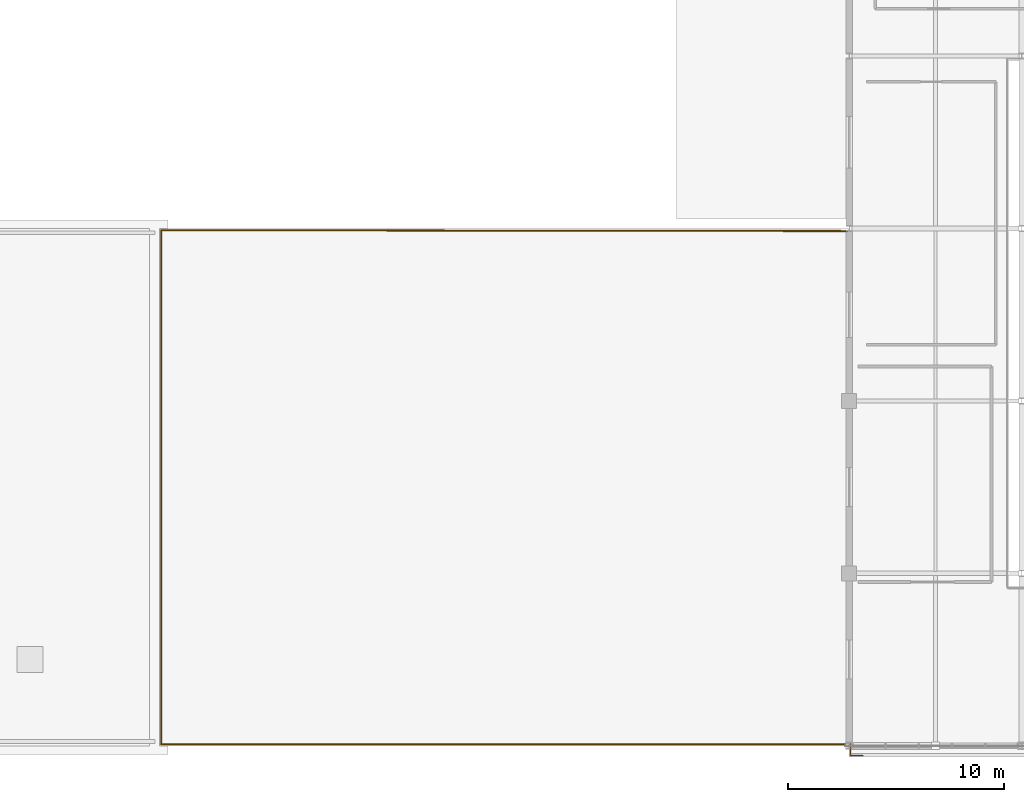
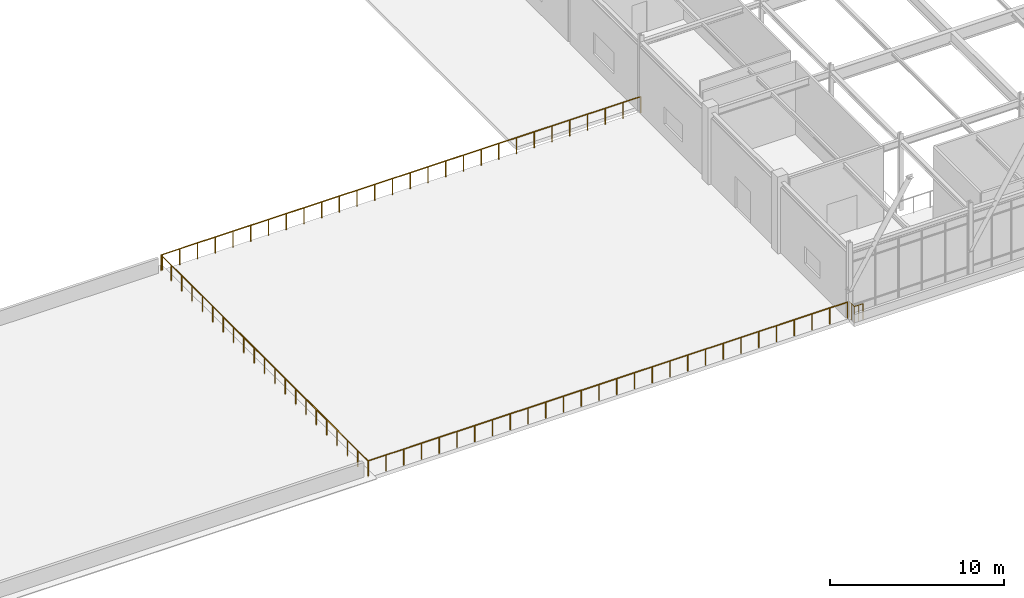
# One storey, part 101 of 108: 3 railings.
"""IFC4 building model written with IfcOpenShell, lengths in metres."""

from ifc_helpers import new_model, si_unit, direction, frame, origin, origin_2d, place, context, subcontext, project, spatial, circle, extrude, material, type_object, element, save


model = new_model("IFC4")

# Units and contexts
model_context = context("Model", 3, precision=1e-05, world=origin(), true_north=direction((0.0, 1.0)))
body_context = subcontext(model_context, "Body", "Model", "MODEL_VIEW")
ifc_project = project(units=[si_unit("LENGTHUNIT", "METRE"), si_unit("AREAUNIT", "SQUARE_METRE"), si_unit("VOLUMEUNIT", "CUBIC_METRE"), si_unit("PLANEANGLEUNIT", "RADIAN"), si_unit("MASSUNIT", "GRAM", prefix="KILO")], contexts=[model_context])

# Site, building, storey
site_placement = place(None, origin())
site = spatial("IfcSite", under=ifc_project, at=site_placement, CompositionType="ELEMENT")
building_placement = place(site_placement, origin())
building = spatial("IfcBuilding", under=site, at=building_placement, Name="Zhaolan Boulevard Law Courts", CompositionType="ELEMENT")
storey_placement = place(building_placement, frame((0.0, 0.0, 10.800048828125)))
storey = spatial("IfcBuildingStorey", under=building, at=storey_placement, Name="L02", CompositionType="ELEMENT", Elevation=10.800048828125)

# Railings
ifc_material_1 = material(Name="Powder-coated steel baluster guardrail", Category="steel")
railing_type_1 = type_object("IfcRailingType", Name="STAIR WELL GUARDRAIL 1120", PredefinedType="GUARDRAIL", material=ifc_material_1)
railing_1_placement = place(storey_placement, frame((124.06005859375, 6.1201171875, 0.0)))
element("IfcRailing", 1, at=railing_1_placement, inside=storey, type_object=railing_type_1, Name="Slab Corner Guardrail GR-CRN-L02-V1SW", PredefinedType="GUARDRAIL", context=body_context, shape_type="SweptSolid", body=[
    extrude(circle(Radius=0.02392578125, at=origin_2d()), frame((0.0, 0.0, 1.09619140625), z_axis=(0.0, -1.0, 0.0), x_axis=(1.0, 0.0, 0.0)), (0.0, 0.0, 1.0), 0.580078125),
    extrude(circle(Radius=0.02392578125, at=origin_2d()), frame((0.0, -0.580078125, 1.09619140625), z_axis=(1.0, 0.0, 0.0), x_axis=(0.0, 1.0, 0.0)), (0.0, 0.0, 1.0), 0.579833984375),
    extrude(circle(Radius=0.02099609375, at=origin_2d()), origin(), (0.0, 0.0, 1.0), 1.072021484375),
    extrude(circle(Radius=0.02099609375, at=origin_2d()), frame((0.0, -0.2900390625, 0.0)), (0.0, 0.0, 1.0), 1.072021484375),
    extrude(circle(Radius=0.02099609375, at=origin_2d()), frame((0.0, -0.580078125, 0.0)), (0.0, 0.0, 1.0), 1.072021484375),
    extrude(circle(Radius=0.02099609375, at=origin_2d()), frame((0.2900390625, -0.580078125, 0.0)), (0.0, 0.0, 1.0), 1.072021484375),
    extrude(circle(Radius=0.02099609375, at=origin_2d()), frame((0.579833984375, -0.580078125, 0.0)), (0.0, 0.0, 1.0), 1.072021484375),
])
ifc_material_2 = material(Name="Stainless steel 316L and laminated glass", Category="steel")
railing_type_2 = type_object("IfcRailingType", Name="TERRACE GUARDRAIL 1150", PredefinedType="GUARDRAIL", material=ifc_material_2)
railing_2_placement = place(storey_placement, frame((92.080078125, 29.919921875, 0.0)))
element("IfcRailing", 2, at=railing_2_placement, inside=storey, type_object=railing_type_2, Name="Terrace Guardrail GR-TER-L02A", PredefinedType="GUARDRAIL", context=body_context, shape_type="SweptSolid", body=[
    extrude(circle(Radius=0.02490234375, at=origin_2d()), frame((0.0, 0.0, 1.125), z_axis=(0.0, -1.0, 0.0), x_axis=(1.0, 0.0, 0.0)), (0.0, 0.0, 1.0), 23.83984375),
    extrude(circle(Radius=0.02490234375, at=origin_2d()), frame((0.0, -23.83984375, 1.125), z_axis=(1.0, 0.0, 0.0), x_axis=(0.0, 1.0, 0.0)), (0.0, 0.0, 1.0), 31.83984375),
    extrude(circle(Radius=0.0224609375, at=origin_2d()), origin(), (0.0, 0.0, 1.0), 1.099853515625),
    extrude(circle(Radius=0.0224609375, at=origin_2d()), frame((0.0, -1.19189453125, 0.0)), (0.0, 0.0, 1.0), 1.099853515625),
    extrude(circle(Radius=0.0224609375, at=origin_2d()), frame((0.0, -2.384033203125, 0.0)), (0.0, 0.0, 1.0), 1.099853515625),
    extrude(circle(Radius=0.0224609375, at=origin_2d()), frame((0.0, -3.575927734375, 0.0)), (0.0, 0.0, 1.0), 1.099853515625),
    extrude(circle(Radius=0.0224609375, at=origin_2d()), frame((0.0, -4.76806640625, 0.0)), (0.0, 0.0, 1.0), 1.099853515625),
    extrude(circle(Radius=0.0224609375, at=origin_2d()), frame((0.0, -5.9599609375, 0.0)), (0.0, 0.0, 1.0), 1.099853515625),
    extrude(circle(Radius=0.0224609375, at=origin_2d()), frame((0.0, -7.15185546875, 0.0)), (0.0, 0.0, 1.0), 1.099853515625),
    extrude(circle(Radius=0.0224609375, at=origin_2d()), frame((0.0, -8.343994140625, 0.0)), (0.0, 0.0, 1.0), 1.099853515625),
    extrude(circle(Radius=0.0224609375, at=origin_2d()), frame((0.0, -9.535888671875, 0.0)), (0.0, 0.0, 1.0), 1.099853515625),
    extrude(circle(Radius=0.0224609375, at=origin_2d()), frame((0.0, -10.72802734375, 0.0)), (0.0, 0.0, 1.0), 1.099853515625),
    extrude(circle(Radius=0.0224609375, at=origin_2d()), frame((0.0, -11.919921875, 0.0)), (0.0, 0.0, 1.0), 1.099853515625),
    extrude(circle(Radius=0.0224609375, at=origin_2d()), frame((0.0, -13.11181640625, 0.0)), (0.0, 0.0, 1.0), 1.099853515625),
    extrude(circle(Radius=0.0224609375, at=origin_2d()), frame((0.0, -14.303955078125, 0.0)), (0.0, 0.0, 1.0), 1.099853515625),
    extrude(circle(Radius=0.0224609375, at=origin_2d()), frame((0.0, -15.495849609375, 0.0)), (0.0, 0.0, 1.0), 1.099853515625),
    extrude(circle(Radius=0.0224609375, at=origin_2d()), frame((0.0, -16.68798828125, 0.0)), (0.0, 0.0, 1.0), 1.099853515625),
    extrude(circle(Radius=0.0224609375, at=origin_2d()), frame((0.0, -17.8798828125, 0.0)), (0.0, 0.0, 1.0), 1.099853515625),
    extrude(circle(Radius=0.0224609375, at=origin_2d()), frame((0.0, -19.07177734375, 0.0)), (0.0, 0.0, 1.0), 1.099853515625),
    extrude(circle(Radius=0.0224609375, at=origin_2d()), frame((0.0, -20.263916015625, 0.0)), (0.0, 0.0, 1.0), 1.099853515625),
    extrude(circle(Radius=0.0224609375, at=origin_2d()), frame((0.0, -21.455810546875, 0.0)), (0.0, 0.0, 1.0), 1.099853515625),
    extrude(circle(Radius=0.0224609375, at=origin_2d()), frame((0.0, -22.64794921875, 0.0)), (0.0, 0.0, 1.0), 1.099853515625),
    extrude(circle(Radius=0.0224609375, at=origin_2d()), frame((0.0, -23.83984375, 0.0)), (0.0, 0.0, 1.0), 1.099853515625),
    extrude(circle(Radius=0.0224609375, at=origin_2d()), frame((1.17919921875, -23.83984375, 0.0)), (0.0, 0.0, 1.0), 1.099853515625),
    extrude(circle(Radius=0.0224609375, at=origin_2d()), frame((2.3583984375, -23.83984375, 0.0)), (0.0, 0.0, 1.0), 1.099853515625),
    extrude(circle(Radius=0.0224609375, at=origin_2d()), frame((3.537841796875, -23.83984375, 0.0)), (0.0, 0.0, 1.0), 1.099853515625),
    extrude(circle(Radius=0.0224609375, at=origin_2d()), frame((4.717041015625, -23.83984375, 0.0)), (0.0, 0.0, 1.0), 1.099853515625),
    extrude(circle(Radius=0.0224609375, at=origin_2d()), frame((5.896240234375, -23.83984375, 0.0)), (0.0, 0.0, 1.0), 1.099853515625),
    extrude(circle(Radius=0.0224609375, at=origin_2d()), frame((7.075439453125, -23.83984375, 0.0)), (0.0, 0.0, 1.0), 1.099853515625),
    extrude(circle(Radius=0.0224609375, at=origin_2d()), frame((8.2548828125, -23.83984375, 0.0)), (0.0, 0.0, 1.0), 1.099853515625),
    extrude(circle(Radius=0.0224609375, at=origin_2d()), frame((9.43408203125, -23.83984375, 0.0)), (0.0, 0.0, 1.0), 1.099853515625),
    extrude(circle(Radius=0.0224609375, at=origin_2d()), frame((10.61328125, -23.83984375, 0.0)), (0.0, 0.0, 1.0), 1.099853515625),
    extrude(circle(Radius=0.0224609375, at=origin_2d()), frame((11.79248046875, -23.83984375, 0.0)), (0.0, 0.0, 1.0), 1.099853515625),
    extrude(circle(Radius=0.0224609375, at=origin_2d()), frame((12.9716796875, -23.83984375, 0.0)), (0.0, 0.0, 1.0), 1.099853515625),
    extrude(circle(Radius=0.0224609375, at=origin_2d()), frame((14.151123046875, -23.83984375, 0.0)), (0.0, 0.0, 1.0), 1.099853515625),
    extrude(circle(Radius=0.0224609375, at=origin_2d()), frame((15.330322265625, -23.83984375, 0.0)), (0.0, 0.0, 1.0), 1.099853515625),
    extrude(circle(Radius=0.0224609375, at=origin_2d()), frame((16.509521484375, -23.83984375, 0.0)), (0.0, 0.0, 1.0), 1.099853515625),
    extrude(circle(Radius=0.0224609375, at=origin_2d()), frame((17.688720703125, -23.83984375, 0.0)), (0.0, 0.0, 1.0), 1.099853515625),
    extrude(circle(Radius=0.0224609375, at=origin_2d()), frame((18.8681640625, -23.83984375, 0.0)), (0.0, 0.0, 1.0), 1.099853515625),
    extrude(circle(Radius=0.0224609375, at=origin_2d()), frame((20.04736328125, -23.83984375, 0.0)), (0.0, 0.0, 1.0), 1.099853515625),
    extrude(circle(Radius=0.0224609375, at=origin_2d()), frame((21.2265625, -23.83984375, 0.0)), (0.0, 0.0, 1.0), 1.099853515625),
    extrude(circle(Radius=0.0224609375, at=origin_2d()), frame((22.40576171875, -23.83984375, 0.0)), (0.0, 0.0, 1.0), 1.099853515625),
    extrude(circle(Radius=0.0224609375, at=origin_2d()), frame((23.5849609375, -23.83984375, 0.0)), (0.0, 0.0, 1.0), 1.099853515625),
    extrude(circle(Radius=0.0224609375, at=origin_2d()), frame((24.764404296875, -23.83984375, 0.0)), (0.0, 0.0, 1.0), 1.099853515625),
    extrude(circle(Radius=0.0224609375, at=origin_2d()), frame((25.943603515625, -23.83984375, 0.0)), (0.0, 0.0, 1.0), 1.099853515625),
    extrude(circle(Radius=0.0224609375, at=origin_2d()), frame((27.122802734375, -23.83984375, 0.0)), (0.0, 0.0, 1.0), 1.099853515625),
    extrude(circle(Radius=0.0224609375, at=origin_2d()), frame((28.302001953125, -23.83984375, 0.0)), (0.0, 0.0, 1.0), 1.099853515625),
    extrude(circle(Radius=0.0224609375, at=origin_2d()), frame((29.4814453125, -23.83984375, 0.0)), (0.0, 0.0, 1.0), 1.099853515625),
    extrude(circle(Radius=0.0224609375, at=origin_2d()), frame((30.66064453125, -23.83984375, 0.0)), (0.0, 0.0, 1.0), 1.099853515625),
    extrude(circle(Radius=0.0224609375, at=origin_2d()), frame((31.83984375, -23.83984375, 0.0)), (0.0, 0.0, 1.0), 1.099853515625),
])
railing_3_placement = place(storey_placement, frame((123.919921875, 29.8798828125, 0.0)))
element("IfcRailing", 3, at=railing_3_placement, inside=storey, type_object=railing_type_2, Name="Terrace Guardrail GR-TER-L02B", PredefinedType="GUARDRAIL", context=body_context, shape_type="SweptSolid", body=[
    extrude(circle(Radius=0.02490234375, at=origin_2d()), frame((0.0, 0.0, 1.125), z_axis=(-0.99999920535, 0.001260674382, 0.0), x_axis=(-0.001260674382, -0.99999920535, 0.0)), (0.0, 0.0, 1.0), 31.760009765625),
    extrude(circle(Radius=0.0224609375, at=origin_2d()), origin(), (0.0, 0.0, 1.0), 1.099853515625),
    extrude(circle(Radius=0.0224609375, at=origin_2d()), frame((-1.17626953125, 0.00146484375, 0.0)), (0.0, 0.0, 1.0), 1.099853515625),
    extrude(circle(Radius=0.0224609375, at=origin_2d()), frame((-2.3525390625, 0.0029296875, 0.0)), (0.0, 0.0, 1.0), 1.099853515625),
    extrude(circle(Radius=0.0224609375, at=origin_2d()), frame((-3.52880859375, 0.00439453125, 0.0)), (0.0, 0.0, 1.0), 1.099853515625),
    extrude(circle(Radius=0.0224609375, at=origin_2d()), frame((-4.705078125, 0.005859375, 0.0)), (0.0, 0.0, 1.0), 1.099853515625),
    extrude(circle(Radius=0.0224609375, at=origin_2d()), frame((-5.881591796875, 0.00732421875, 0.0)), (0.0, 0.0, 1.0), 1.099853515625),
    extrude(circle(Radius=0.0224609375, at=origin_2d()), frame((-7.057861328125, 0.0087890625, 0.0)), (0.0, 0.0, 1.0), 1.099853515625),
    extrude(circle(Radius=0.0224609375, at=origin_2d()), frame((-8.234130859375, 0.010498046875, 0.0)), (0.0, 0.0, 1.0), 1.099853515625),
    extrude(circle(Radius=0.0224609375, at=origin_2d()), frame((-9.410400390625, 0.011962890625, 0.0)), (0.0, 0.0, 1.0), 1.099853515625),
    extrude(circle(Radius=0.0224609375, at=origin_2d()), frame((-10.586669921875, 0.013427734375, 0.0)), (0.0, 0.0, 1.0), 1.099853515625),
    extrude(circle(Radius=0.0224609375, at=origin_2d()), frame((-11.762939453125, 0.014892578125, 0.0)), (0.0, 0.0, 1.0), 1.099853515625),
    extrude(circle(Radius=0.0224609375, at=origin_2d()), frame((-12.939208984375, 0.016357421875, 0.0)), (0.0, 0.0, 1.0), 1.099853515625),
    extrude(circle(Radius=0.0224609375, at=origin_2d()), frame((-14.115478515625, 0.017822265625, 0.0)), (0.0, 0.0, 1.0), 1.099853515625),
    extrude(circle(Radius=0.0224609375, at=origin_2d()), frame((-15.291748046875, 0.019287109375, 0.0)), (0.0, 0.0, 1.0), 1.099853515625),
    extrude(circle(Radius=0.0224609375, at=origin_2d()), frame((-16.46826171875, 0.020751953125, 0.0)), (0.0, 0.0, 1.0), 1.099853515625),
    extrude(circle(Radius=0.0224609375, at=origin_2d()), frame((-17.64453125, 0.022216796875, 0.0)), (0.0, 0.0, 1.0), 1.099853515625),
    extrude(circle(Radius=0.0224609375, at=origin_2d()), frame((-18.82080078125, 0.023681640625, 0.0)), (0.0, 0.0, 1.0), 1.099853515625),
    extrude(circle(Radius=0.0224609375, at=origin_2d()), frame((-19.9970703125, 0.025146484375, 0.0)), (0.0, 0.0, 1.0), 1.099853515625),
    extrude(circle(Radius=0.0224609375, at=origin_2d()), frame((-21.17333984375, 0.026611328125, 0.0)), (0.0, 0.0, 1.0), 1.099853515625),
    extrude(circle(Radius=0.0224609375, at=origin_2d()), frame((-22.349609375, 0.028076171875, 0.0)), (0.0, 0.0, 1.0), 1.099853515625),
    extrude(circle(Radius=0.0224609375, at=origin_2d()), frame((-23.52587890625, 0.029541015625, 0.0)), (0.0, 0.0, 1.0), 1.099853515625),
    extrude(circle(Radius=0.0224609375, at=origin_2d()), frame((-24.7021484375, 0.03125, 0.0)), (0.0, 0.0, 1.0), 1.099853515625),
    extrude(circle(Radius=0.0224609375, at=origin_2d()), frame((-25.87841796875, 0.03271484375, 0.0)), (0.0, 0.0, 1.0), 1.099853515625),
    extrude(circle(Radius=0.0224609375, at=origin_2d()), frame((-27.054931640625, 0.0341796875, 0.0)), (0.0, 0.0, 1.0), 1.099853515625),
    extrude(circle(Radius=0.0224609375, at=origin_2d()), frame((-28.231201171875, 0.03564453125, 0.0)), (0.0, 0.0, 1.0), 1.099853515625),
    extrude(circle(Radius=0.0224609375, at=origin_2d()), frame((-29.407470703125, 0.037109375, 0.0)), (0.0, 0.0, 1.0), 1.099853515625),
    extrude(circle(Radius=0.0224609375, at=origin_2d()), frame((-30.583740234375, 0.03857421875, 0.0)), (0.0, 0.0, 1.0), 1.099853515625),
    extrude(circle(Radius=0.0224609375, at=origin_2d()), frame((-31.760009765625, 0.0400390625, 0.0)), (0.0, 0.0, 1.0), 1.099853515625),
])

save(model, "model.ifc")
